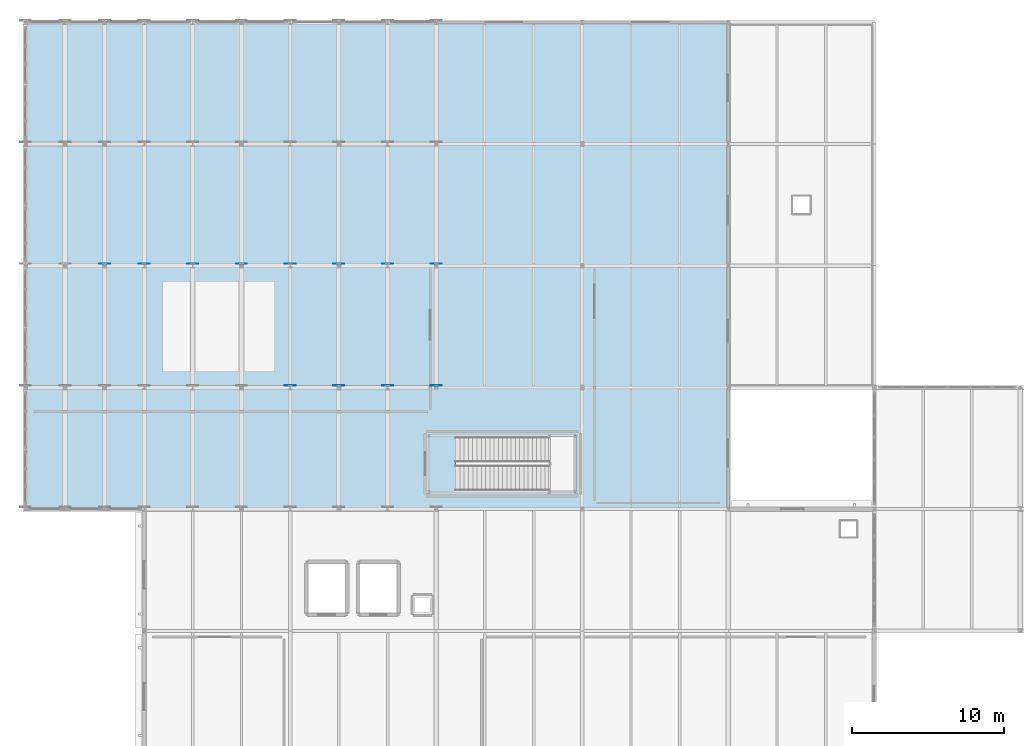
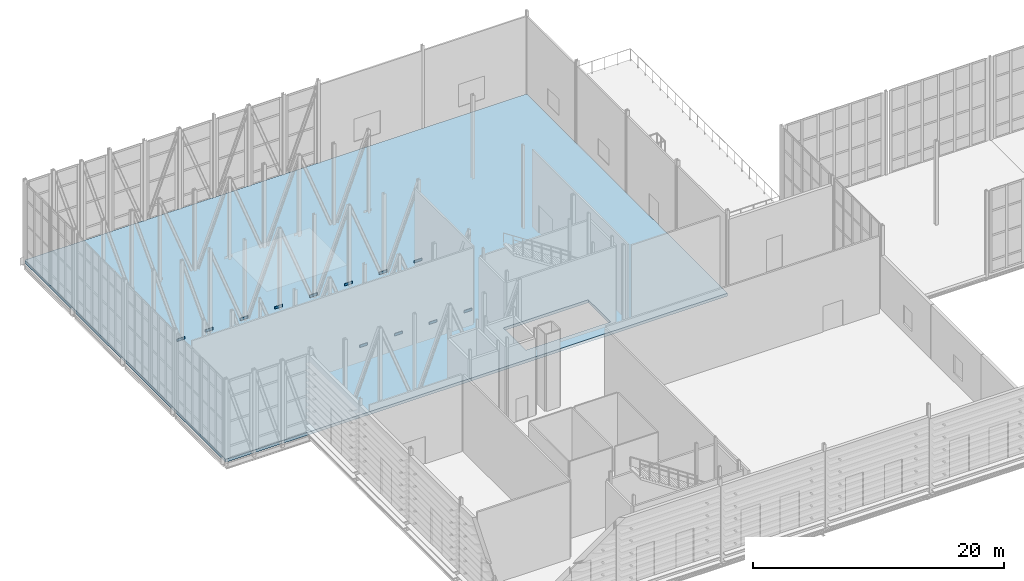
# One storey, part 49 of 73: 12 plates, 1 slab.
"""IFC4 building model written with IfcOpenShell, lengths in metres."""

import ifcopenshell
import ifcopenshell.guid

model = None  # the IFC model being written
_history = None  # IfcOwnerHistory: only IFC2X3 demands one
_inside = {}  # id of a spatial element -> (the spatial element, [elements in it])
_under = {}  # id of a project, library or spatial element -> (it, [spatial elements below it])
_declared = {}  # id of a project -> (the project, [libraries it declares])
_typed = {}  # id of a type object -> (the type object, [elements of that type])
_made_of = {}  # id of a material, layer set ... -> (it, [elements and type objects made of it])


def new_model(schema):
    """Start an empty IFC model of exactly this schema.

    Asked for "IFC4X3", IfcOpenShell would pick the latest addendum, in which some entities
    have other attributes; the version numbers below select the first issue.
    IFC2X3 requires an IfcOwnerHistory on every rooted entity: one is made here for all.
    """
    global model, _history
    if schema == "IFC4X3":
        model = ifcopenshell.file(schema_version=(4, 3, 0, 0))
    else:
        model = ifcopenshell.file(schema=schema)
    _inside.clear()
    _under.clear()
    _declared.clear()
    _typed.clear()
    _made_of.clear()
    _history = None
    if model.schema == "IFC2X3":
        org = make("IfcOrganization", Name="unknown")
        user = make(
            "IfcPersonAndOrganization",
            ThePerson=make("IfcPerson", FamilyName="unknown"),
            TheOrganization=org,
        )
        app = make(
            "IfcApplication",
            ApplicationDeveloper=org,
            Version="unknown",
            ApplicationFullName="unknown",
            ApplicationIdentifier="unknown",
        )
        _history = make(
            "IfcOwnerHistory",
            OwningUser=user,
            OwningApplication=app,
            ChangeAction="ADDED",
            CreationDate=0,
        )
    return model


def make(cls, **values):
    """One entity of the class cls with the attributes given. An attribute that is None is left unset."""
    return model.create_entity(
        cls, **{name: value for name, value in values.items() if value is not None}
    )


def rooted(cls, **values):
    """An entity with a GlobalId (a new one), such as an element, a storey or a relation."""
    return make(cls, GlobalId=ifcopenshell.guid.new(), OwnerHistory=_history, **values)


def si_unit(unit_type, name, prefix=None):
    """IfcSIUnit, for example si_unit("LENGTHUNIT", "METRE", prefix="MILLI")."""
    return make("IfcSIUnit", UnitType=unit_type, Prefix=prefix, Name=name)


def assignment(units):
    """IfcUnitAssignment: the units of a project."""
    return None if units is None else make("IfcUnitAssignment", Units=units)


def point(xyz):
    """IfcCartesianPoint."""
    return None if xyz is None else make("IfcCartesianPoint", Coordinates=xyz)


def direction(xyz):
    """IfcDirection."""
    return None if xyz is None else make("IfcDirection", DirectionRatios=xyz)


def frame(location, z_axis=None, x_axis=None):
    """IfcAxis2Placement3D, a coordinate frame: its origin and axes. An axis left out is left unset."""
    return make(
        "IfcAxis2Placement3D",
        Location=point(location),
        Axis=direction(z_axis),
        RefDirection=direction(x_axis),
    )


def frame_2d(location, x_axis=None):
    """IfcAxis2Placement2D, a coordinate frame in the plane: its origin and x axis."""
    return make(
        "IfcAxis2Placement2D", Location=point(location), RefDirection=direction(x_axis)
    )


def origin():
    """The frame at (0, 0, 0) with its axes left unset."""
    return frame((0.0, 0.0, 0.0))


def origin_2d():
    """The frame at (0, 0) in the plane with its x axis left unset."""
    return frame_2d((0.0, 0.0))


def place(relative_to, where):
    """IfcLocalPlacement: puts the frame where relative to a parent placement (None: the world)."""
    return make(
        "IfcLocalPlacement", PlacementRelTo=relative_to, RelativePlacement=where
    )


def context(
    kind, dimensions, precision=None, world=None, true_north=None, identifier=None
):
    """IfcGeometricRepresentationContext, for example the 3D "Model" context."""
    return make(
        "IfcGeometricRepresentationContext",
        ContextIdentifier=identifier,
        ContextType=kind,
        CoordinateSpaceDimension=dimensions,
        Precision=precision,
        WorldCoordinateSystem=world,
        TrueNorth=true_north,
    )


def subcontext(parent, identifier, kind, view, scale=None):
    """IfcGeometricRepresentationSubContext, for example "Body" below "Model"."""
    return make(
        "IfcGeometricRepresentationSubContext",
        ContextIdentifier=identifier,
        ContextType=kind,
        ParentContext=parent,
        TargetScale=scale,
        TargetView=view,
    )


def project(units=None, contexts=None):
    """IfcProject with its units and contexts."""
    return rooted(
        "IfcProject",
        Name="project",
        RepresentationContexts=contexts,
        UnitsInContext=assignment(units),
    )


def spatial(cls, under=None, at=None, **own):
    """A site, building, storey or space (cls), placed at a placement, below another one or the project."""
    s = rooted(cls, ObjectPlacement=at, **own)
    if under is not None:
        _under.setdefault(under.id(), (under, []))[1].append(s)
    return s


def polyline(points):
    """IfcPolyline through the points."""
    return make("IfcPolyline", Points=[point(p) for p in points])


def profile(cls, at=None, kind="AREA", **sizes):
    """A parametric profile (cls). Its sizes go by their IFC names, for example OverallWidth=200.0."""
    return make(cls, ProfileType=kind, Position=at, **sizes)


def rectangle(**sizes):
    """IfcRectangleProfileDef."""
    return profile("IfcRectangleProfileDef", **sizes)


def outline(outer, holes=None, kind="AREA"):
    """IfcArbitraryClosedProfileDef: a profile drawn as a closed curve; with holes, ...WithVoids."""
    if holes is None:
        return make("IfcArbitraryClosedProfileDef", ProfileType=kind, OuterCurve=outer)
    return make(
        "IfcArbitraryProfileDefWithVoids",
        ProfileType=kind,
        OuterCurve=outer,
        InnerCurves=holes,
    )


def extrude(swept, where, along, depth):
    """IfcExtrudedAreaSolid: the profile swept, set in the frame where, extruded along a direction by depth."""
    return make(
        "IfcExtrudedAreaSolid",
        SweptArea=swept,
        Position=where,
        ExtrudedDirection=direction(along),
        Depth=depth,
    )


def shape(context_of_items, identifier, shape_type, items):
    """IfcShapeRepresentation: the items that make up one representation, for example the "Body"."""
    return make(
        "IfcShapeRepresentation",
        ContextOfItems=context_of_items,
        RepresentationIdentifier=identifier,
        RepresentationType=shape_type,
        Items=items,
    )


def material(Name=None, Category=None):
    """IfcMaterial."""
    return make("IfcMaterial", Name=Name, Category=Category)


def layer(
    of_material, thickness, ventilated=None, Name=None, Category=None, Priority=None
):
    """IfcMaterialLayer: one layer of a wall or slab, of a material (None: an air gap)."""
    return make(
        "IfcMaterialLayer",
        Material=of_material,
        LayerThickness=thickness,
        IsVentilated=ventilated,
        Name=Name,
        Category=Category,
        Priority=Priority,
    )


def layer_set(layers, Name=None):
    """IfcMaterialLayerSet."""
    return make("IfcMaterialLayerSet", MaterialLayers=layers, LayerSetName=Name)


def made_of(thing, what):
    """Note that an element or type object is made of a material, layer set ...; save() writes the relation."""
    if what is not None:
        _made_of.setdefault(what.id(), (what, []))[1].append(thing)
    return thing


def type_object(cls, material=None, **own):
    """A type object (cls), such as IfcWallType, which elements share."""
    return made_of(rooted(cls, **own), material)


def element(
    cls,
    number,
    at=None,
    inside=None,
    cuts=None,
    type_object=None,
    material=None,
    context=None,
    identifier="Body",
    shape_type=None,
    held_by="IfcProductDefinitionShape",
    body=None,
    shapes=None,
    **own,
):
    """One element of the class cls, such as IfcWall. Its Tag is "e" and its number.

    at: its placement. inside: the storey or other place that contains it. cuts: it is an
    opening in that element (IfcRelVoidsElement). A single representation is given by context,
    identifier, shape_type and body (its items); several are given by shapes. held_by: the class
    of the entity that holds the representations. save() writes the other relations.
    """
    e = rooted(cls, Tag="e%d" % number, ObjectPlacement=at, **own)
    if body is not None:
        shapes = [shape(context, identifier, shape_type, body)]
    if shapes is not None:
        e.Representation = make(held_by, Representations=shapes)
    if inside is not None:
        _inside.setdefault(inside.id(), (inside, []))[1].append(e)
    if cuts is not None:
        rooted(
            "IfcRelVoidsElement", RelatingBuildingElement=cuts, RelatedOpeningElement=e
        )
    if type_object is not None:
        _typed.setdefault(type_object.id(), (type_object, []))[1].append(e)
    return made_of(e, material)


def aggregate(whole, parts):
    """IfcRelAggregates: a whole, such as a stair, and the parts it consists of."""
    return rooted("IfcRelAggregates", RelatingObject=whole, RelatedObjects=parts)


def save(model, path):
    """Write the relations noted so far, then the file.

    IfcRelAggregates (storeys below a building ...), IfcRelContainedInSpatialStructure (elements
    in a storey), IfcRelDefinesByType, IfcRelAssociatesMaterial and IfcRelDeclares: one each for
    every whole, place, type object, material and project.
    """
    for whole, parts in _under.values():
        aggregate(whole, parts)
    for where, things in _inside.values():
        rooted(
            "IfcRelContainedInSpatialStructure",
            RelatedElements=things,
            RelatingStructure=where,
        )
    for kind, things in _typed.values():
        rooted("IfcRelDefinesByType", RelatedObjects=things, RelatingType=kind)
    for what, things in _made_of.values():
        rooted("IfcRelAssociatesMaterial", RelatedObjects=things, RelatingMaterial=what)
    for by, libraries in _declared.values():
        rooted("IfcRelDeclares", RelatingContext=by, RelatedDefinitions=libraries)
    model.write(path)


model = new_model("IFC4")

# Units and contexts
model_context = context("Model", 3, precision=1e-05, world=origin(), true_north=direction((0.0, 1.0)))
body_context = subcontext(model_context, "Body", "Model", "MODEL_VIEW")
ifc_project = project(units=[si_unit("LENGTHUNIT", "METRE"), si_unit("AREAUNIT", "SQUARE_METRE"), si_unit("VOLUMEUNIT", "CUBIC_METRE"), si_unit("PLANEANGLEUNIT", "RADIAN"), si_unit("MASSUNIT", "GRAM", prefix="KILO")], contexts=[model_context])

# Site, building, storey
site_placement = place(None, origin())
site = spatial("IfcSite", under=ifc_project, at=site_placement, CompositionType="ELEMENT")
building_placement = place(site_placement, origin())
building = spatial("IfcBuilding", under=site, at=building_placement, Name="Alderhovde Museum", CompositionType="ELEMENT")
storey_placement = place(building_placement, frame((0.0, 0.0, 17.39990234375)))
storey = spatial("IfcBuildingStorey", under=building, at=storey_placement, Name="L04", CompositionType="ELEMENT", Elevation=17.39990234375)

# Plates
ifc_material_1 = material(Name="Steel S355J2", Category="steel")
ifc_layer_1 = layer(ifc_material_1, 0.028076171875)
ifc_layer_set_1 = layer_set([ifc_layer_1], Name="Steel S355J2")
plate_type = type_object("IfcPlateType", Name="PLT-GUSSET-28", PredefinedType="USERDEFINED", material=ifc_layer_set_1)
for number, where, z_axis, x_axis, name in (
    (1, (19.199951171875, 88.1298828125, -0.48974609375), (0.0, 0.0, 1.0), (1.0, 0.0, 0.0), "Transfer Truss Gusset Plate Y=88 T2-7"),
    (2, (22.39990234375, 88.1298828125, -0.48974609375), (0.0, 0.0, 1.0), (1.0, 0.0, 0.0), "Transfer Truss Gusset Plate Y=88 T2-8"),
    (3, (25.60009765625, 88.1298828125, -0.48974609375), (0.0, 0.0, 1.0), (1.0, 0.0, 0.0), "Transfer Truss Gusset Plate Y=88 T2-9"),
    (4, (28.800048828125, 88.1298828125, -0.48974609375), (0.0, 0.0, 1.0), (1.0, 0.0, 0.0), "Transfer Truss Gusset Plate Y=88 T2-10"),
    (5, (7.0, 96.1298828125, -0.48974609375), (0.0, 0.0, 1.0), (1.0, 0.0, 0.0), "Transfer Truss Gusset Plate Y=96 T2-3"),
    (6, (9.60009765625, 96.1298828125, -0.48974609375), (0.0, 0.0, 1.0), (1.0, 0.0, 0.0), "Transfer Truss Gusset Plate Y=96 T2-4"),
    (7, (12.800048828125, 96.1298828125, -0.48974609375), (0.0, 0.0, 1.0), (1.0, 0.0, 0.0), "Transfer Truss Gusset Plate Y=96 T2-5"),
    (8, (16.0, 96.1298828125, -0.48974609375), (0.0, 0.0, 1.0), (1.0, 0.0, 0.0), "Transfer Truss Gusset Plate Y=96 T2-6"),
    (9, (19.199951171875, 96.1298828125, -0.48974609375), (0.0, 0.0, 1.0), (1.0, 0.0, 0.0), "Transfer Truss Gusset Plate Y=96 T2-7"),
    (10, (22.39990234375, 96.1298828125, -0.48974609375), (0.0, 0.0, 1.0), (1.0, 0.0, 0.0), "Transfer Truss Gusset Plate Y=96 T2-8"),
    (11, (25.60009765625, 96.1298828125, -0.48974609375), (0.0, 0.0, 1.0), (1.0, 0.0, 0.0), "Transfer Truss Gusset Plate Y=96 T2-9"),
    (12, (28.800048828125, 96.1298828125, -0.48974609375), (0.0, 0.0, 1.0), (1.0, 0.0, 0.0), "Transfer Truss Gusset Plate Y=96 T2-10"),
):
    element("IfcPlate", number, at=place(storey_placement, frame(where, z_axis=z_axis, x_axis=x_axis)), inside=storey, type_object=plate_type, Name=name, ObjectType="GUSSET PLATE", PredefinedType="USERDEFINED", context=body_context, shape_type="SweptSolid", body=[
        extrude(rectangle(XDim=0.719970703125, YDim=0.028076171875, at=origin_2d()), origin(), (0.0, 0.0, 1.0), 0.719970703125),
    ])

# Slab
ifc_material_2 = material(Name="Concrete C35/45", Category="concrete")
ifc_layer_2 = layer(ifc_material_2, 0.280029296875)
ifc_layer_set_2 = layer_set([ifc_layer_2], Name="Concrete C35/45")
slab_type = type_object("IfcSlabType", Name="SLB-FLR-280", PredefinedType="FLOOR", material=ifc_layer_set_2)
slab_placement = place(storey_placement, frame((0.0, 0.0, -0.27978515625)))
element("IfcSlab", 13, at=slab_placement, inside=storey, type_object=slab_type, Name="L04 VOL4 Structural Slab", PredefinedType="FLOOR", context=body_context, shape_type="SweptSolid", body=[
    extrude(outline(polyline([(1.800048828125, 80.0), (48.0, 80.0), (48.0, 112.0), (1.800048828125, 112.0), (1.800048828125, 80.0)]), holes=[polyline([(30.110107421875, 81.199951171875), (37.919921875, 81.199951171875), (37.919921875, 84.760009765625), (30.110107421875, 84.760009765625), (30.110107421875, 81.199951171875)])]), origin(), (0.0, 0.0, 1.0), 0.27978515625),
])

save(model, "model.ifc")
